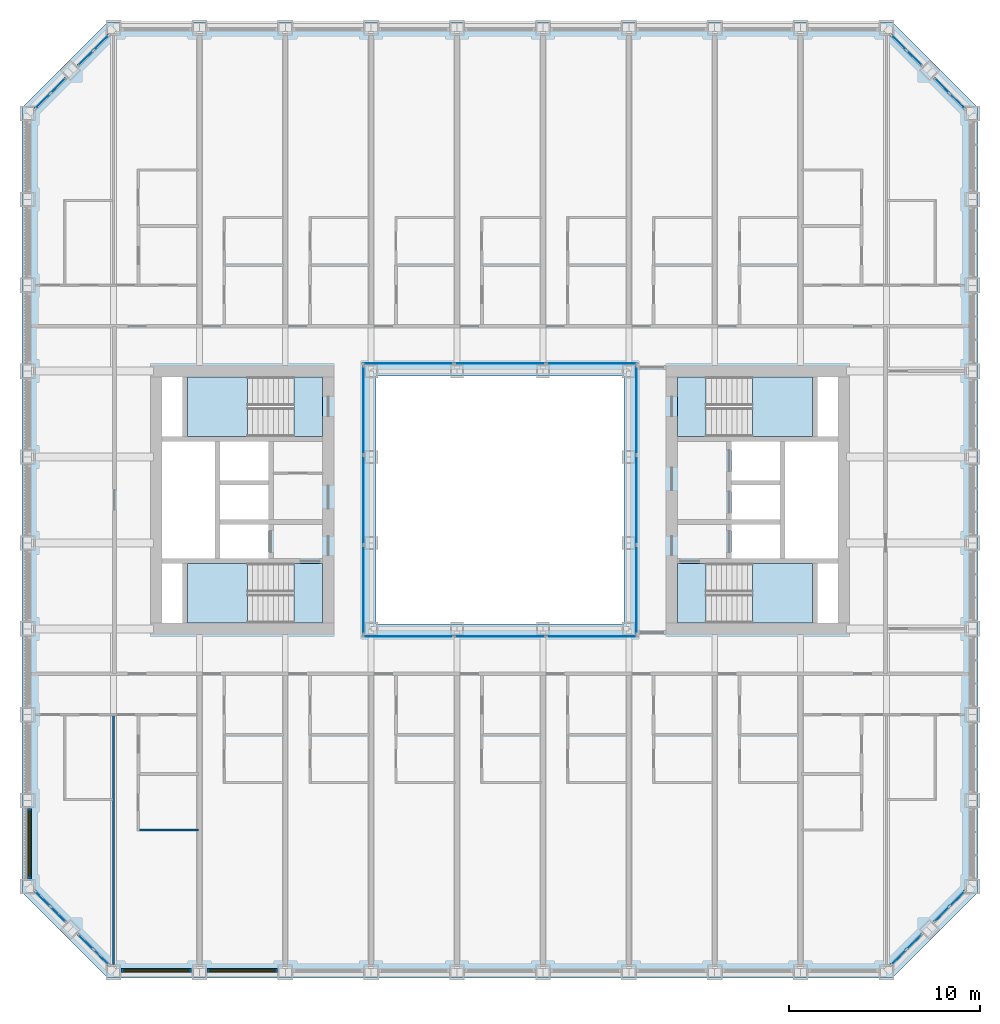
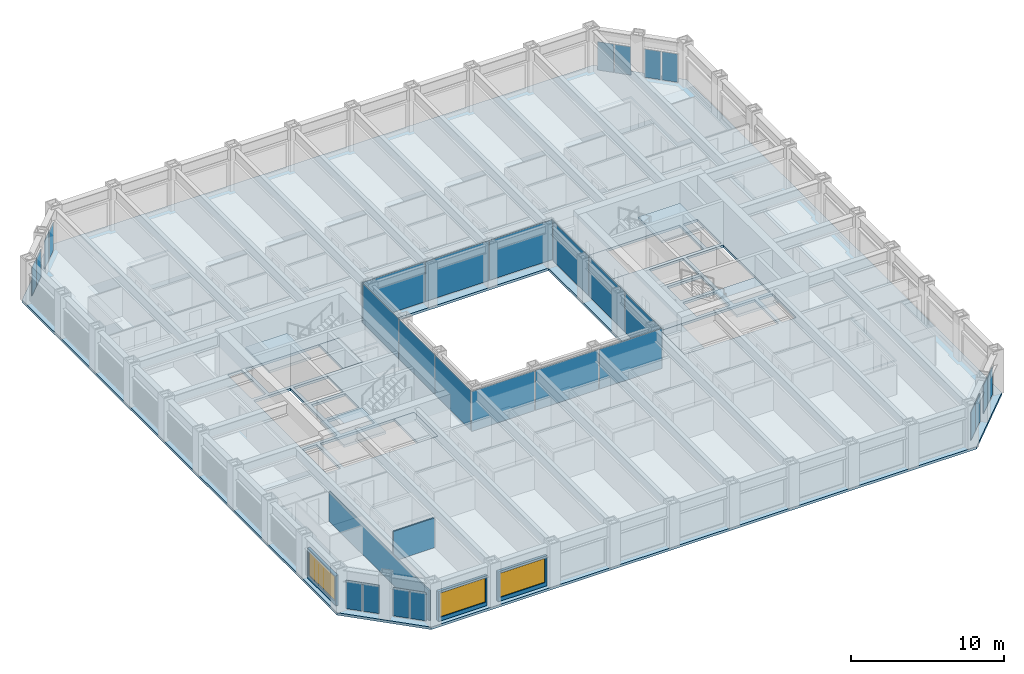
# One storey, part 8 of 21: 28 plates, 9 slabs, 5 walls, 3 windows, 3 openings, 16 elements without a shape of their own.
"""IFC4 building model written with IfcOpenShell, lengths in metres."""

from ifc_helpers import new_model, si_unit, direction, frame, frame_2d, origin, origin_2d, place, context, subcontext, project, spatial, polyline, rectangle, outline, extrude, material, layer, layer_set, type_object, element, fill, aggregate, save


model = new_model("IFC4")

# Units and contexts
model_context = context("Model", 3, precision=1e-05, world=origin(), true_north=direction((0.0, 1.0)))
body_context = subcontext(model_context, "Body", "Model", "MODEL_VIEW")
ifc_project = project(units=[si_unit("LENGTHUNIT", "METRE"), si_unit("AREAUNIT", "SQUARE_METRE"), si_unit("VOLUMEUNIT", "CUBIC_METRE"), si_unit("PLANEANGLEUNIT", "RADIAN"), si_unit("MASSUNIT", "GRAM", prefix="KILO")], contexts=[model_context])

# Site, building, storey
site_placement = place(None, origin())
site = spatial("IfcSite", under=ifc_project, at=site_placement, CompositionType="ELEMENT")
building_placement = place(site_placement, origin())
building = spatial("IfcBuilding", under=site, at=building_placement, Name="Msasa Ring Tower", CompositionType="ELEMENT")
storey_placement = place(building_placement, frame((0.0, 0.0, 30.0)))
storey = spatial("IfcBuildingStorey", under=building, at=storey_placement, Name="L06", CompositionType="ELEMENT", Elevation=30.0)

# Curtain wall, plates
ifc_material_1 = material(Name="Aluminium curtain wall with clear glass", Category="aluminium")
curtain_wall_type_1 = type_object("IfcCurtainWallType", Name="CW-C CHAMFER CORNER CURTAIN WALL", PredefinedType="NOTDEFINED", material=ifc_material_1)
curtain_wall_1_placement = place(storey_placement, origin())
curtain_wall_1 = element("IfcCurtainWall", 1, at=curtain_wall_1_placement, inside=storey, type_object=curtain_wall_type_1, Name="Chamfer corner curtain wall SE L06", PredefinedType="NOTDEFINED")
ifc_material_2 = material(Name="Clear laminated insulating glass unit", Category="glass")
ifc_layer_1 = layer(ifc_material_2, 0.031982421875)
ifc_layer_set_1 = layer_set([ifc_layer_1], Name="CW-C GLASS PANEL 32")
plate_type_1 = type_object("IfcPlateType", Name="CW-C GLASS PANEL 32", PredefinedType="CURTAIN_PANEL", material=ifc_layer_set_1)
plate_1_placement = place(storey_placement, frame((20.896484375, -23.962158203125, 0.06494140625), z_axis=(0.0, 0.0, 1.0), x_axis=(0.707106781187, 0.707106781187, 0.0)))
plate_1 = element("IfcPlate", 2, at=plate_1_placement, type_object=plate_type_1, Name="CW-C panel 1.1", PredefinedType="CURTAIN_PANEL", context=body_context, shape_type="SweptSolid", body=[
    extrude(rectangle(XDim=1.08837890625, YDim=0.031982421875, at=origin_2d()), origin(), (0.0, 0.0, 1.0), 2.2490234375),
])
plate_2_placement = place(storey_placement, frame((21.712158203125, -23.146484375, 0.06494140625), z_axis=(0.0, 0.0, 1.0), x_axis=(0.707106781187, 0.707106781187, 0.0)))
plate_2 = element("IfcPlate", 3, at=plate_2_placement, type_object=plate_type_1, Name="CW-C panel 2.1", PredefinedType="CURTAIN_PANEL", context=body_context, shape_type="SweptSolid", body=[
    extrude(rectangle(XDim=1.08837890625, YDim=0.031982421875, at=origin_2d()), origin(), (0.0, 0.0, 1.0), 2.2490234375),
])
aggregate(curtain_wall_1, [plate_1, plate_2])

curtain_wall_2_placement = place(storey_placement, origin())
curtain_wall_2 = element("IfcCurtainWall", 4, at=curtain_wall_2_placement, inside=storey, type_object=curtain_wall_type_1, Name="Chamfer corner curtain wall SE L06", PredefinedType="NOTDEFINED")
plate_3_placement = place(storey_placement, frame((23.146484375, -21.712158203125, 0.06494140625), z_axis=(0.0, 0.0, 1.0), x_axis=(0.707106781187, 0.707106781187, 0.0)))
plate_3 = element("IfcPlate", 5, at=plate_3_placement, type_object=plate_type_1, Name="CW-C panel 1.1", PredefinedType="CURTAIN_PANEL", context=body_context, shape_type="SweptSolid", body=[
    extrude(rectangle(XDim=1.08837890625, YDim=0.031982421875, at=origin_2d()), origin(), (0.0, 0.0, 1.0), 2.2490234375),
])
plate_4_placement = place(storey_placement, frame((23.962158203125, -20.896484375, 0.06494140625), z_axis=(0.0, 0.0, 1.0), x_axis=(0.707106781187, 0.707106781187, 0.0)))
plate_4 = element("IfcPlate", 6, at=plate_4_placement, type_object=plate_type_1, Name="CW-C panel 2.1", PredefinedType="CURTAIN_PANEL", context=body_context, shape_type="SweptSolid", body=[
    extrude(rectangle(XDim=1.08837890625, YDim=0.031982421875, at=origin_2d()), origin(), (0.0, 0.0, 1.0), 2.2490234375),
])
aggregate(curtain_wall_2, [plate_3, plate_4])

curtain_wall_3_placement = place(storey_placement, origin())
curtain_wall_3 = element("IfcCurtainWall", 7, at=curtain_wall_3_placement, inside=storey, type_object=curtain_wall_type_1, Name="Chamfer corner curtain wall NE L06", PredefinedType="NOTDEFINED")
plate_5_placement = place(storey_placement, frame((21.712158203125, 23.146484375, 0.06494140625), z_axis=(0.0, 0.0, 1.0), x_axis=(-0.707106781187, 0.707106781187, 0.0)))
plate_5 = element("IfcPlate", 8, at=plate_5_placement, type_object=plate_type_1, Name="CW-C panel 1.1", PredefinedType="CURTAIN_PANEL", context=body_context, shape_type="SweptSolid", body=[
    extrude(rectangle(XDim=1.08837890625, YDim=0.031982421875, at=origin_2d()), origin(), (0.0, 0.0, 1.0), 2.2490234375),
])
plate_6_placement = place(storey_placement, frame((20.896484375, 23.962158203125, 0.06494140625), z_axis=(0.0, 0.0, 1.0), x_axis=(-0.707106781187, 0.707106781187, 0.0)))
plate_6 = element("IfcPlate", 9, at=plate_6_placement, type_object=plate_type_1, Name="CW-C panel 2.1", PredefinedType="CURTAIN_PANEL", context=body_context, shape_type="SweptSolid", body=[
    extrude(rectangle(XDim=1.08837890625, YDim=0.031982421875, at=origin_2d()), origin(), (0.0, 0.0, 1.0), 2.2490234375),
])
aggregate(curtain_wall_3, [plate_5, plate_6])

curtain_wall_4_placement = place(storey_placement, origin())
curtain_wall_4 = element("IfcCurtainWall", 10, at=curtain_wall_4_placement, inside=storey, type_object=curtain_wall_type_1, Name="Chamfer corner curtain wall NE L06", PredefinedType="NOTDEFINED")
plate_7_placement = place(storey_placement, frame((23.962158203125, 20.896484375, 0.06494140625), z_axis=(0.0, 0.0, 1.0), x_axis=(-0.707106781187, 0.707106781187, 0.0)))
plate_7 = element("IfcPlate", 11, at=plate_7_placement, type_object=plate_type_1, Name="CW-C panel 1.1", PredefinedType="CURTAIN_PANEL", context=body_context, shape_type="SweptSolid", body=[
    extrude(rectangle(XDim=1.08837890625, YDim=0.031982421875, at=origin_2d()), origin(), (0.0, 0.0, 1.0), 2.2490234375),
])
plate_8_placement = place(storey_placement, frame((23.146484375, 21.712158203125, 0.06494140625), z_axis=(0.0, 0.0, 1.0), x_axis=(-0.707106781187, 0.707106781187, 0.0)))
plate_8 = element("IfcPlate", 12, at=plate_8_placement, type_object=plate_type_1, Name="CW-C panel 2.1", PredefinedType="CURTAIN_PANEL", context=body_context, shape_type="SweptSolid", body=[
    extrude(rectangle(XDim=1.08837890625, YDim=0.031982421875, at=origin_2d()), origin(), (0.0, 0.0, 1.0), 2.2490234375),
])
aggregate(curtain_wall_4, [plate_7, plate_8])

curtain_wall_5_placement = place(storey_placement, origin())
curtain_wall_5 = element("IfcCurtainWall", 13, at=curtain_wall_5_placement, inside=storey, type_object=curtain_wall_type_1, Name="Chamfer corner curtain wall NW L06", PredefinedType="NOTDEFINED")
plate_9_placement = place(storey_placement, frame((-23.146484375, 21.712158203125, 0.06494140625), z_axis=(0.0, 0.0, 1.0), x_axis=(-0.707106781187, -0.707106781187, 0.0)))
plate_9 = element("IfcPlate", 14, at=plate_9_placement, type_object=plate_type_1, Name="CW-C panel 1.1", PredefinedType="CURTAIN_PANEL", context=body_context, shape_type="SweptSolid", body=[
    extrude(rectangle(XDim=1.08837890625, YDim=0.031982421875, at=origin_2d()), origin(), (0.0, 0.0, 1.0), 2.2490234375),
])
plate_10_placement = place(storey_placement, frame((-23.962158203125, 20.896484375, 0.06494140625), z_axis=(0.0, 0.0, 1.0), x_axis=(-0.707106781187, -0.707106781187, 0.0)))
plate_10 = element("IfcPlate", 15, at=plate_10_placement, type_object=plate_type_1, Name="CW-C panel 2.1", PredefinedType="CURTAIN_PANEL", context=body_context, shape_type="SweptSolid", body=[
    extrude(rectangle(XDim=1.08837890625, YDim=0.031982421875, at=origin_2d()), origin(), (0.0, 0.0, 1.0), 2.2490234375),
])
aggregate(curtain_wall_5, [plate_9, plate_10])

curtain_wall_6_placement = place(storey_placement, origin())
curtain_wall_6 = element("IfcCurtainWall", 16, at=curtain_wall_6_placement, inside=storey, type_object=curtain_wall_type_1, Name="Chamfer corner curtain wall NW L06", PredefinedType="NOTDEFINED")
plate_11_placement = place(storey_placement, frame((-20.896484375, 23.962158203125, 0.06494140625), z_axis=(0.0, 0.0, 1.0), x_axis=(-0.707106781187, -0.707106781187, 0.0)))
plate_11 = element("IfcPlate", 17, at=plate_11_placement, type_object=plate_type_1, Name="CW-C panel 1.1", PredefinedType="CURTAIN_PANEL", context=body_context, shape_type="SweptSolid", body=[
    extrude(rectangle(XDim=1.08837890625, YDim=0.031982421875, at=origin_2d()), origin(), (0.0, 0.0, 1.0), 2.2490234375),
])
plate_12_placement = place(storey_placement, frame((-21.712158203125, 23.146484375, 0.06494140625), z_axis=(0.0, 0.0, 1.0), x_axis=(-0.707106781187, -0.707106781187, 0.0)))
plate_12 = element("IfcPlate", 18, at=plate_12_placement, type_object=plate_type_1, Name="CW-C panel 2.1", PredefinedType="CURTAIN_PANEL", context=body_context, shape_type="SweptSolid", body=[
    extrude(rectangle(XDim=1.08837890625, YDim=0.031982421875, at=origin_2d()), origin(), (0.0, 0.0, 1.0), 2.2490234375),
])
aggregate(curtain_wall_6, [plate_11, plate_12])

curtain_wall_7_placement = place(storey_placement, origin())
curtain_wall_7 = element("IfcCurtainWall", 19, at=curtain_wall_7_placement, inside=storey, type_object=curtain_wall_type_1, Name="Chamfer corner curtain wall SW L06", PredefinedType="NOTDEFINED")
plate_13_placement = place(storey_placement, frame((-23.962158203125, -20.896484375, 0.06494140625), z_axis=(0.0, 0.0, 1.0), x_axis=(0.707106781187, -0.707106781187, 0.0)))
plate_13 = element("IfcPlate", 20, at=plate_13_placement, type_object=plate_type_1, Name="CW-C panel 1.1", PredefinedType="CURTAIN_PANEL", context=body_context, shape_type="SweptSolid", body=[
    extrude(rectangle(XDim=1.08837890625, YDim=0.031982421875, at=origin_2d()), origin(), (0.0, 0.0, 1.0), 2.2490234375),
])
plate_14_placement = place(storey_placement, frame((-23.146484375, -21.712158203125, 0.06494140625), z_axis=(0.0, 0.0, 1.0), x_axis=(0.707106781187, -0.707106781187, 0.0)))
plate_14 = element("IfcPlate", 21, at=plate_14_placement, type_object=plate_type_1, Name="CW-C panel 2.1", PredefinedType="CURTAIN_PANEL", context=body_context, shape_type="SweptSolid", body=[
    extrude(rectangle(XDim=1.08837890625, YDim=0.031982421875, at=origin_2d()), origin(), (0.0, 0.0, 1.0), 2.2490234375),
])
aggregate(curtain_wall_7, [plate_13, plate_14])

curtain_wall_8_placement = place(storey_placement, origin())
curtain_wall_8 = element("IfcCurtainWall", 22, at=curtain_wall_8_placement, inside=storey, type_object=curtain_wall_type_1, Name="Chamfer corner curtain wall SW L06", PredefinedType="NOTDEFINED")
plate_15_placement = place(storey_placement, frame((-21.712158203125, -23.146484375, 0.06494140625), z_axis=(0.0, 0.0, 1.0), x_axis=(0.707106781187, -0.707106781187, 0.0)))
plate_15 = element("IfcPlate", 23, at=plate_15_placement, type_object=plate_type_1, Name="CW-C panel 1.1", PredefinedType="CURTAIN_PANEL", context=body_context, shape_type="SweptSolid", body=[
    extrude(rectangle(XDim=1.08837890625, YDim=0.031982421875, at=origin_2d()), origin(), (0.0, 0.0, 1.0), 2.2490234375),
])
plate_16_placement = place(storey_placement, frame((-20.896484375, -23.962158203125, 0.06494140625), z_axis=(0.0, 0.0, 1.0), x_axis=(0.707106781187, -0.707106781187, 0.0)))
plate_16 = element("IfcPlate", 24, at=plate_16_placement, type_object=plate_type_1, Name="CW-C panel 2.1", PredefinedType="CURTAIN_PANEL", context=body_context, shape_type="SweptSolid", body=[
    extrude(rectangle(XDim=1.08837890625, YDim=0.031982421875, at=origin_2d()), origin(), (0.0, 0.0, 1.0), 2.2490234375),
])
aggregate(curtain_wall_8, [plate_15, plate_16])

ifc_material_3 = material(Name="Aluminium curtain wall with clear glass", Category="aluminium")
curtain_wall_type_2 = type_object("IfcCurtainWallType", Name="CW-W LIGHT WELL CURTAIN WALL", PredefinedType="NOTDEFINED", material=ifc_material_3)
curtain_wall_9_placement = place(storey_placement, origin())
curtain_wall_9 = element("IfcCurtainWall", 25, at=curtain_wall_9_placement, inside=storey, type_object=curtain_wall_type_2, Name="Light well curtain wall N L06", PredefinedType="NOTDEFINED")
ifc_material_4 = material(Name="Clear laminated insulating glass unit", Category="glass")
ifc_layer_2 = layer(ifc_material_4, 0.028076171875)
ifc_layer_set_2 = layer_set([ifc_layer_2], Name="CW-W GLASS PANEL 28")
plate_type_2 = type_object("IfcPlateType", Name="CW-W GLASS PANEL 28", PredefinedType="CURTAIN_PANEL", material=ifc_layer_set_2)
plate_17_placement = place(storey_placement, frame((-4.804931640625, 7.14990234375, 0.06005859375), z_axis=(0.0, 0.0, 1.0), x_axis=(1.0, 0.0, 0.0)))
plate_17 = element("IfcPlate", 26, at=plate_17_placement, type_object=plate_type_2, Name="CW-W panel 1.1", PredefinedType="CURTAIN_PANEL", context=body_context, shape_type="SweptSolid", body=[
    extrude(rectangle(XDim=4.72998046875, YDim=0.028076171875, at=origin_2d()), origin(), (0.0, 0.0, 1.0), 3.179931640625),
])
plate_18_placement = place(storey_placement, frame((0.0, 7.14990234375, 0.06005859375), z_axis=(0.0, 0.0, 1.0), x_axis=(1.0, 0.0, 0.0)))
plate_18 = element("IfcPlate", 27, at=plate_18_placement, type_object=plate_type_2, Name="CW-W panel 2.1", PredefinedType="CURTAIN_PANEL", context=body_context, shape_type="SweptSolid", body=[
    extrude(rectangle(XDim=4.760009765625, YDim=0.028076171875, at=origin_2d()), origin(), (0.0, 0.0, 1.0), 3.179931640625),
])
plate_19_placement = place(storey_placement, frame((4.804931640625, 7.14990234375, 0.06005859375), z_axis=(0.0, 0.0, 1.0), x_axis=(1.0, 0.0, 0.0)))
plate_19 = element("IfcPlate", 28, at=plate_19_placement, type_object=plate_type_2, Name="CW-W panel 3.1", PredefinedType="CURTAIN_PANEL", context=body_context, shape_type="SweptSolid", body=[
    extrude(rectangle(XDim=4.72998046875, YDim=0.028076171875, at=origin_2d()), origin(), (0.0, 0.0, 1.0), 3.179931640625),
])
aggregate(curtain_wall_9, [plate_17, plate_18, plate_19])

curtain_wall_10_placement = place(storey_placement, origin())
curtain_wall_10 = element("IfcCurtainWall", 29, at=curtain_wall_10_placement, inside=storey, type_object=curtain_wall_type_2, Name="Light well curtain wall S L06", PredefinedType="NOTDEFINED")
plate_20_placement = place(storey_placement, frame((-4.804931640625, -7.14990234375, 0.06005859375), z_axis=(0.0, 0.0, 1.0), x_axis=(1.0, 0.0, 0.0)))
plate_20 = element("IfcPlate", 30, at=plate_20_placement, type_object=plate_type_2, Name="CW-W panel 1.1", PredefinedType="CURTAIN_PANEL", context=body_context, shape_type="SweptSolid", body=[
    extrude(rectangle(XDim=4.72998046875, YDim=0.028076171875, at=origin_2d()), origin(), (0.0, 0.0, 1.0), 3.179931640625),
])
plate_21_placement = place(storey_placement, frame((0.0, -7.14990234375, 0.06005859375), z_axis=(0.0, 0.0, 1.0), x_axis=(1.0, 0.0, 0.0)))
plate_21 = element("IfcPlate", 31, at=plate_21_placement, type_object=plate_type_2, Name="CW-W panel 2.1", PredefinedType="CURTAIN_PANEL", context=body_context, shape_type="SweptSolid", body=[
    extrude(rectangle(XDim=4.760009765625, YDim=0.028076171875, at=origin_2d()), origin(), (0.0, 0.0, 1.0), 3.179931640625),
])
plate_22_placement = place(storey_placement, frame((4.804931640625, -7.14990234375, 0.06005859375), z_axis=(0.0, 0.0, 1.0), x_axis=(1.0, 0.0, 0.0)))
plate_22 = element("IfcPlate", 32, at=plate_22_placement, type_object=plate_type_2, Name="CW-W panel 3.1", PredefinedType="CURTAIN_PANEL", context=body_context, shape_type="SweptSolid", body=[
    extrude(rectangle(XDim=4.72998046875, YDim=0.028076171875, at=origin_2d()), origin(), (0.0, 0.0, 1.0), 3.179931640625),
])
aggregate(curtain_wall_10, [plate_20, plate_21, plate_22])

curtain_wall_11_placement = place(storey_placement, origin())
curtain_wall_11 = element("IfcCurtainWall", 33, at=curtain_wall_11_placement, inside=storey, type_object=curtain_wall_type_2, Name="Light well curtain wall E L06", PredefinedType="NOTDEFINED")
plate_23_placement = place(storey_placement, frame((7.14990234375, -4.6982421875, 0.06005859375), z_axis=(0.0, 0.0, 1.0), x_axis=(0.0, 1.0, 0.0)))
plate_23 = element("IfcPlate", 34, at=plate_23_placement, type_object=plate_type_2, Name="CW-W panel 1.1", PredefinedType="CURTAIN_PANEL", context=body_context, shape_type="SweptSolid", body=[
    extrude(rectangle(XDim=4.623291015625, YDim=0.028076171875, at=origin_2d()), origin(), (0.0, 0.0, 1.0), 3.179931640625),
])
plate_24_placement = place(storey_placement, frame((7.14990234375, 0.0, 0.06005859375), z_axis=(0.0, 0.0, 1.0), x_axis=(0.0, 1.0, 0.0)))
plate_24 = element("IfcPlate", 35, at=plate_24_placement, type_object=plate_type_2, Name="CW-W panel 2.1", PredefinedType="CURTAIN_PANEL", context=body_context, shape_type="SweptSolid", body=[
    extrude(rectangle(XDim=4.6533203125, YDim=0.028076171875, at=origin_2d()), origin(), (0.0, 0.0, 1.0), 3.179931640625),
])
plate_25_placement = place(storey_placement, frame((7.14990234375, 4.6982421875, 0.06005859375), z_axis=(0.0, 0.0, 1.0), x_axis=(0.0, 1.0, 0.0)))
plate_25 = element("IfcPlate", 36, at=plate_25_placement, type_object=plate_type_2, Name="CW-W panel 3.1", PredefinedType="CURTAIN_PANEL", context=body_context, shape_type="SweptSolid", body=[
    extrude(rectangle(XDim=4.623291015625, YDim=0.028076171875, at=origin_2d()), origin(), (0.0, 0.0, 1.0), 3.179931640625),
])
aggregate(curtain_wall_11, [plate_23, plate_24, plate_25])

curtain_wall_12_placement = place(storey_placement, origin())
curtain_wall_12 = element("IfcCurtainWall", 37, at=curtain_wall_12_placement, inside=storey, type_object=curtain_wall_type_2, Name="Light well curtain wall W L06", PredefinedType="NOTDEFINED")
plate_26_placement = place(storey_placement, frame((-7.14990234375, -4.6982421875, 0.06005859375), z_axis=(0.0, 0.0, 1.0), x_axis=(0.0, 1.0, 0.0)))
plate_26 = element("IfcPlate", 38, at=plate_26_placement, type_object=plate_type_2, Name="CW-W panel 1.1", PredefinedType="CURTAIN_PANEL", context=body_context, shape_type="SweptSolid", body=[
    extrude(rectangle(XDim=4.623291015625, YDim=0.028076171875, at=origin_2d()), origin(), (0.0, 0.0, 1.0), 3.179931640625),
])
plate_27_placement = place(storey_placement, frame((-7.14990234375, 0.0, 0.06005859375), z_axis=(0.0, 0.0, 1.0), x_axis=(0.0, 1.0, 0.0)))
plate_27 = element("IfcPlate", 39, at=plate_27_placement, type_object=plate_type_2, Name="CW-W panel 2.1", PredefinedType="CURTAIN_PANEL", context=body_context, shape_type="SweptSolid", body=[
    extrude(rectangle(XDim=4.6533203125, YDim=0.028076171875, at=origin_2d()), origin(), (0.0, 0.0, 1.0), 3.179931640625),
])
plate_28_placement = place(storey_placement, frame((-7.14990234375, 4.6982421875, 0.06005859375), z_axis=(0.0, 0.0, 1.0), x_axis=(0.0, 1.0, 0.0)))
plate_28 = element("IfcPlate", 40, at=plate_28_placement, type_object=plate_type_2, Name="CW-W panel 3.1", PredefinedType="CURTAIN_PANEL", context=body_context, shape_type="SweptSolid", body=[
    extrude(rectangle(XDim=4.623291015625, YDim=0.028076171875, at=origin_2d()), origin(), (0.0, 0.0, 1.0), 3.179931640625),
])
aggregate(curtain_wall_12, [plate_26, plate_27, plate_28])

# Stair, slabs
ifc_material_5 = material(Name="Concrete C40/50", Category="concrete")
stair_type = type_object("IfcStairType", Name="STC CORE STAIR 20 RISERS 175", PredefinedType="HALF_TURN_STAIR", material=ifc_material_5)
stair_1_placement = place(storey_placement, origin())
stair_1 = element("IfcStair", 41, at=stair_1_placement, inside=storey, type_object=stair_type, Name="Core stair SEA L06", PredefinedType="HALF_TURN_STAIR")
ifc_material_6 = material(Name="Concrete C40/50", Category="concrete")
ifc_layer_3 = layer(ifc_material_6, 0.199951171875)
ifc_layer_set_3 = layer_set([ifc_layer_3], Name="LD1 CORE STAIR LANDING 200")
slab_type_1 = type_object("IfcSlabType", Name="LD1 CORE STAIR LANDING 200", PredefinedType="LANDING", material=ifc_layer_set_3)
slab_1_placement = place(storey_placement, frame((0.0, 0.0, -0.199951171875)))
slab_1 = element("IfcSlab", 42, at=slab_1_placement, type_object=slab_type_1, Name="SEA landing 1", PredefinedType="LANDING", context=body_context, shape_type="SweptSolid", body=[
    extrude(outline(polyline([(9.300048828125, -6.449951171875), (10.800048828125, -6.449951171875), (10.800048828125, -3.324951171875), (9.300048828125, -3.324951171875), (9.300048828125, -6.449951171875)])), origin(), (0.0, 0.0, 1.0), 0.199951171875),
])
slab_2_placement = place(storey_placement, frame((0.0, 0.0, 1.550048828125)))
slab_2 = element("IfcSlab", 43, at=slab_2_placement, type_object=slab_type_1, Name="SEA landing 2", PredefinedType="LANDING", context=body_context, shape_type="SweptSolid", body=[
    extrude(outline(polyline([(13.22998046875, -6.449951171875), (16.375, -6.449951171875), (16.375, -3.324951171875), (13.22998046875, -3.324951171875), (13.22998046875, -6.449951171875)])), origin(), (0.0, 0.0, 1.0), 0.199951171875),
])
aggregate(stair_1, [slab_1, slab_2])

stair_2_placement = place(storey_placement, origin())
stair_2 = element("IfcStair", 44, at=stair_2_placement, inside=storey, type_object=stair_type, Name="Core stair SEB L06", PredefinedType="HALF_TURN_STAIR")
slab_3_placement = place(storey_placement, frame((0.0, 0.0, -0.199951171875)))
slab_3 = element("IfcSlab", 45, at=slab_3_placement, type_object=slab_type_1, Name="SEB landing 1", PredefinedType="LANDING", context=body_context, shape_type="SweptSolid", body=[
    extrude(outline(polyline([(9.300048828125, 3.324951171875), (10.800048828125, 3.324951171875), (10.800048828125, 6.449951171875), (9.300048828125, 6.449951171875), (9.300048828125, 3.324951171875)])), origin(), (0.0, 0.0, 1.0), 0.199951171875),
])
slab_4_placement = place(storey_placement, frame((0.0, 0.0, 1.550048828125)))
slab_4 = element("IfcSlab", 46, at=slab_4_placement, type_object=slab_type_1, Name="SEB landing 2", PredefinedType="LANDING", context=body_context, shape_type="SweptSolid", body=[
    extrude(outline(polyline([(13.22998046875, 3.324951171875), (16.375, 3.324951171875), (16.375, 6.449951171875), (13.22998046875, 6.449951171875), (13.22998046875, 3.324951171875)])), origin(), (0.0, 0.0, 1.0), 0.199951171875),
])
aggregate(stair_2, [slab_3, slab_4])

stair_3_placement = place(storey_placement, origin())
stair_3 = element("IfcStair", 47, at=stair_3_placement, inside=storey, type_object=stair_type, Name="Core stair SWA L06", PredefinedType="HALF_TURN_STAIR")
slab_5_placement = place(storey_placement, frame((0.0, 0.0, -0.199951171875)))
slab_5 = element("IfcSlab", 48, at=slab_5_placement, type_object=slab_type_1, Name="SWA landing 1", PredefinedType="LANDING", context=body_context, shape_type="SweptSolid", body=[
    extrude(outline(polyline([(-10.800048828125, -6.449951171875), (-9.300048828125, -6.449951171875), (-9.300048828125, -3.324951171875), (-10.800048828125, -3.324951171875), (-10.800048828125, -6.449951171875)])), origin(), (0.0, 0.0, 1.0), 0.199951171875),
])
slab_6_placement = place(storey_placement, frame((0.0, 0.0, 1.550048828125)))
slab_6 = element("IfcSlab", 49, at=slab_6_placement, type_object=slab_type_1, Name="SWA landing 2", PredefinedType="LANDING", context=body_context, shape_type="SweptSolid", body=[
    extrude(outline(polyline([(-16.375, -6.449951171875), (-13.22998046875, -6.449951171875), (-13.22998046875, -3.324951171875), (-16.375, -3.324951171875), (-16.375, -6.449951171875)])), origin(), (0.0, 0.0, 1.0), 0.199951171875),
])
aggregate(stair_3, [slab_5, slab_6])

stair_4_placement = place(storey_placement, origin())
stair_4 = element("IfcStair", 50, at=stair_4_placement, inside=storey, type_object=stair_type, Name="Core stair SWB L06", PredefinedType="HALF_TURN_STAIR")
slab_7_placement = place(storey_placement, frame((0.0, 0.0, -0.199951171875)))
slab_7 = element("IfcSlab", 51, at=slab_7_placement, type_object=slab_type_1, Name="SWB landing 1", PredefinedType="LANDING", context=body_context, shape_type="SweptSolid", body=[
    extrude(outline(polyline([(-10.800048828125, 3.324951171875), (-9.300048828125, 3.324951171875), (-9.300048828125, 6.449951171875), (-10.800048828125, 6.449951171875), (-10.800048828125, 3.324951171875)])), origin(), (0.0, 0.0, 1.0), 0.199951171875),
])
slab_8_placement = place(storey_placement, frame((0.0, 0.0, 1.550048828125)))
slab_8 = element("IfcSlab", 52, at=slab_8_placement, type_object=slab_type_1, Name="SWB landing 2", PredefinedType="LANDING", context=body_context, shape_type="SweptSolid", body=[
    extrude(outline(polyline([(-16.375, 3.324951171875), (-13.22998046875, 3.324951171875), (-13.22998046875, 6.449951171875), (-16.375, 6.449951171875), (-16.375, 3.324951171875)])), origin(), (0.0, 0.0, 1.0), 0.199951171875),
])
aggregate(stair_4, [slab_7, slab_8])

# Slab
ifc_material_7 = material(Name="Concrete C40/50", Category="concrete")
ifc_layer_4 = layer(ifc_material_7, 0.199951171875)
ifc_layer_set_4 = layer_set([ifc_layer_4], Name="S3 RESIDENCE FLOOR 200")
slab_type_2 = type_object("IfcSlabType", Name="S3 RESIDENCE FLOOR 200", PredefinedType="FLOOR", material=ifc_layer_set_4)
slab_9_placement = place(storey_placement, frame((0.0, 0.0, -0.199951171875)))
element("IfcSlab", 53, at=slab_9_placement, inside=storey, type_object=slab_type_2, Name="Floor slab L06", PredefinedType="FLOOR", context=body_context, shape_type="SweptSolid", body=[
    extrude(outline(polyline([(-20.550048828125, -25.050048828125), (20.550048828125, -25.050048828125), (25.050048828125, -20.550048828125), (25.050048828125, 20.550048828125), (20.550048828125, 25.050048828125), (-20.550048828125, 25.050048828125), (-25.050048828125, 20.550048828125), (-25.050048828125, -20.550048828125), (-20.550048828125, -25.050048828125)]), holes=[polyline([(-6.5, -6.5), (6.5, -6.5), (6.5, 6.5), (-6.5, 6.5), (-6.5, -6.5)]), polyline([(9.300048828125, -6.449951171875), (16.375, -6.449951171875), (16.375, -3.324951171875), (9.300048828125, -3.324951171875), (9.300048828125, -6.449951171875)]), polyline([(9.300048828125, 3.324951171875), (16.375, 3.324951171875), (16.375, 6.449951171875), (9.300048828125, 6.449951171875), (9.300048828125, 3.324951171875)]), polyline([(12.125, -3.074951171875), (14.675048828125, -3.074951171875), (14.675048828125, -1.27490234375), (12.125, -1.27490234375), (12.125, -3.074951171875)]), polyline([(12.125, -1.02490234375), (14.675048828125, -1.02490234375), (14.675048828125, 0.77490234375), (12.125, 0.77490234375), (12.125, -1.02490234375)]), polyline([(12.125, 1.02490234375), (14.675048828125, 1.02490234375), (14.675048828125, 3.074951171875), (12.125, 3.074951171875), (12.125, 1.02490234375)]), polyline([(16.625, -6.449951171875), (17.699951171875, -6.449951171875), (17.699951171875, -3.324951171875), (16.625, -3.324951171875), (16.625, -6.449951171875)]), polyline([(16.625, 3.324951171875), (17.699951171875, 3.324951171875), (17.699951171875, 6.449951171875), (16.625, 6.449951171875), (16.625, 3.324951171875)]), polyline([(14.925048828125, -3.074951171875), (17.699951171875, -3.074951171875), (17.699951171875, 3.074951171875), (14.925048828125, 3.074951171875), (14.925048828125, -3.074951171875)]), polyline([(-16.375, -6.449951171875), (-9.300048828125, -6.449951171875), (-9.300048828125, -3.324951171875), (-16.375, -3.324951171875), (-16.375, -6.449951171875)]), polyline([(-16.375, 3.324951171875), (-9.300048828125, 3.324951171875), (-9.300048828125, 6.449951171875), (-16.375, 6.449951171875), (-16.375, 3.324951171875)]), polyline([(-14.675048828125, -3.074951171875), (-12.125, -3.074951171875), (-12.125, -1.27490234375), (-14.675048828125, -1.27490234375), (-14.675048828125, -3.074951171875)]), polyline([(-14.675048828125, -1.02490234375), (-12.125, -1.02490234375), (-12.125, 0.77490234375), (-14.675048828125, 0.77490234375), (-14.675048828125, -1.02490234375)]), polyline([(-14.675048828125, 1.02490234375), (-12.125, 1.02490234375), (-12.125, 3.074951171875), (-14.675048828125, 3.074951171875), (-14.675048828125, 1.02490234375)]), polyline([(-17.699951171875, -6.449951171875), (-16.625, -6.449951171875), (-16.625, -3.324951171875), (-17.699951171875, -3.324951171875), (-17.699951171875, -6.449951171875)]), polyline([(-17.699951171875, 3.324951171875), (-16.625, 3.324951171875), (-16.625, 6.449951171875), (-17.699951171875, 6.449951171875), (-17.699951171875, 3.324951171875)]), polyline([(-17.699951171875, -3.074951171875), (-14.925048828125, -3.074951171875), (-14.925048828125, 3.074951171875), (-17.699951171875, 3.074951171875), (-17.699951171875, -3.074951171875)])]), origin(), (0.0, 0.0, 1.0), 0.199951171875),
])

# Wall, opening, window
ifc_material_8 = material(Name="Terracotta rainscreen on blockwork", Category="masonry")
ifc_layer_5 = layer(ifc_material_8, 0.199951171875)
ifc_layer_set_5 = layer_set([ifc_layer_5], Name="FW1 TERRACOTTA-LINED INFILL BAY WALL 200")
wall_type_1 = type_object("IfcWallType", Name="FW1 TERRACOTTA-LINED INFILL BAY WALL 200", PredefinedType="SOLIDWALL", material=ifc_layer_set_5)
wall_1_placement = place(storey_placement, frame((-19.844970703125, -24.64990234375, 0.0), z_axis=(0.0, 0.0, 1.0), x_axis=(1.0, 0.0, 0.0)))
wall_1 = element("IfcWall", 54, at=wall_1_placement, inside=storey, type_object=wall_type_1, Name="Infill bay wall S L06 00", PredefinedType="SOLIDWALL", context=body_context, shape_type="SweptSolid", body=[
    extrude(rectangle(XDim=3.68994140625, YDim=0.199951171875, at=frame_2d((1.844970703125, 0.0))), origin(), (0.0, 0.0, 1.0), 2.37890625),
])
opening_1_placement = place(wall_1_placement, frame((0.14501953125, 0.0, 0.300048828125)))
opening_1 = element("IfcOpeningElement", 55, at=opening_1_placement, cuts=wall_1, Name="Opening WN1", PredefinedType="OPENING", context=body_context, shape_type="SweptSolid", body=[
    extrude(rectangle(XDim=3.39990234375, YDim=1.928955078125, at=frame_2d((1.699951171875, 0.96435546875))), frame((0.0, 0.10986328125, 0.0), z_axis=(0.0, -1.0, 0.0), x_axis=(1.0, 0.0, 0.0)), (0.0, 0.0, 1.0), 0.219970703125),
])
ifc_material_9 = material(Name="Aluminium frame with clear glass", Category="aluminium")
window_type = type_object("IfcWindowType", Name="WN1 RESIDENCE WINDOW 3400x1929", PartitioningType="SINGLE_PANEL", PredefinedType="WINDOW", material=ifc_material_9)
window_1_placement = place(opening_1_placement, origin())
window_1 = element("IfcWindow", 56, at=window_1_placement, inside=storey, type_object=window_type, Name="Window S L06 00", OverallHeight=1.928955078125, OverallWidth=3.39990234375, PartitioningType="SINGLE_PANEL", PredefinedType="WINDOW", context=body_context, shape_type="SweptSolid", body=[
    extrude(rectangle(XDim=3.39990234375, YDim=1.928955078125, at=frame_2d((1.699951171875, 0.96435546875))), frame((0.0, 0.030029296875, 0.0), z_axis=(0.0, -1.0, 0.0), x_axis=(1.0, 0.0, 0.0)), (0.0, 0.0, 1.0), 0.06005859375),
])
fill(opening_1, window_1)

wall_2_placement = place(storey_placement, frame((-15.344970703125, -24.64990234375, 0.0), z_axis=(0.0, 0.0, 1.0), x_axis=(1.0, 0.0, 0.0)))
wall_2 = element("IfcWall", 57, at=wall_2_placement, inside=storey, type_object=wall_type_1, Name="Infill bay wall S L06 01", PredefinedType="SOLIDWALL", context=body_context, shape_type="SweptSolid", body=[
    extrude(rectangle(XDim=3.68994140625, YDim=0.199951171875, at=frame_2d((1.844970703125, 0.0))), origin(), (0.0, 0.0, 1.0), 2.37890625),
])
opening_2_placement = place(wall_2_placement, frame((0.14501953125, 0.0, 0.300048828125)))
opening_2 = element("IfcOpeningElement", 58, at=opening_2_placement, cuts=wall_2, Name="Opening WN1", PredefinedType="OPENING", context=body_context, shape_type="SweptSolid", body=[
    extrude(rectangle(XDim=3.39990234375, YDim=1.928955078125, at=frame_2d((1.699951171875, 0.96435546875))), frame((0.0, 0.10986328125, 0.0), z_axis=(0.0, -1.0, 0.0), x_axis=(1.0, 0.0, 0.0)), (0.0, 0.0, 1.0), 0.219970703125),
])
window_2_placement = place(opening_2_placement, origin())
window_2 = element("IfcWindow", 59, at=window_2_placement, inside=storey, type_object=window_type, Name="Window S L06 01", OverallHeight=1.928955078125, OverallWidth=3.39990234375, PartitioningType="SINGLE_PANEL", PredefinedType="WINDOW", context=body_context, shape_type="SweptSolid", body=[
    extrude(rectangle(XDim=3.39990234375, YDim=1.928955078125, at=frame_2d((1.699951171875, 0.96435546875))), frame((0.0, 0.030029296875, 0.0), z_axis=(0.0, -1.0, 0.0), x_axis=(1.0, 0.0, 0.0)), (0.0, 0.0, 1.0), 0.06005859375),
])
fill(opening_2, window_2)

wall_3_placement = place(storey_placement, frame((-24.64990234375, -19.844970703125, 0.0), z_axis=(0.0, 0.0, 1.0), x_axis=(0.0, 1.0, 0.0)))
wall_3 = element("IfcWall", 60, at=wall_3_placement, inside=storey, type_object=wall_type_1, Name="Infill bay wall W L06 33", PredefinedType="SOLIDWALL", context=body_context, shape_type="SweptSolid", body=[
    extrude(rectangle(XDim=3.68994140625, YDim=0.199951171875, at=frame_2d((1.844970703125, 0.0))), origin(), (0.0, 0.0, 1.0), 2.37890625),
])
opening_3_placement = place(wall_3_placement, frame((0.14501953125, 0.0, 0.300048828125)))
opening_3 = element("IfcOpeningElement", 61, at=opening_3_placement, cuts=wall_3, Name="Opening WN1", PredefinedType="OPENING", context=body_context, shape_type="SweptSolid", body=[
    extrude(rectangle(XDim=3.39990234375, YDim=1.928955078125, at=frame_2d((1.699951171875, 0.96435546875))), frame((0.0, 0.10986328125, 0.0), z_axis=(0.0, -1.0, 0.0), x_axis=(1.0, 0.0, 0.0)), (0.0, 0.0, 1.0), 0.219970703125),
])
window_3_placement = place(opening_3_placement, origin())
window_3 = element("IfcWindow", 62, at=window_3_placement, inside=storey, type_object=window_type, Name="Window W L06 33", OverallHeight=1.928955078125, OverallWidth=3.39990234375, PartitioningType="SINGLE_PANEL", PredefinedType="WINDOW", context=body_context, shape_type="SweptSolid", body=[
    extrude(rectangle(XDim=3.39990234375, YDim=1.928955078125, at=frame_2d((1.699951171875, 0.96435546875))), frame((0.0, 0.030029296875, 0.0), z_axis=(0.0, -1.0, 0.0), x_axis=(1.0, 0.0, 0.0)), (0.0, 0.0, 1.0), 0.06005859375),
])
fill(opening_3, window_3)

# Walls
ifc_material_10 = material(Name="Gypsum board on steel studs", Category="steel")
ifc_layer_6 = layer(ifc_material_10, 0.10009765625)
ifc_layer_set_6 = layer_set([ifc_layer_6], Name="PT2 STUD PARTITION 100")
wall_type_2 = type_object("IfcWallType", Name="PT2 STUD PARTITION 100", PredefinedType="PARTITIONING", material=ifc_layer_set_6)
wall_4_placement = place(storey_placement, frame((-20.25, -24.35009765625, 0.0), z_axis=(0.0, 0.0, 1.0), x_axis=(0.0, 1.0, 0.0)))
element("IfcWall", 63, at=wall_4_placement, inside=storey, type_object=wall_type_2, Name="Partition L06-US00P1", PredefinedType="PARTITIONING", context=body_context, shape_type="SweptSolid", body=[
    extrude(rectangle(XDim=13.050048828125, YDim=0.10009765625, at=frame_2d((6.52490234375, 0.0))), origin(), (0.0, 0.0, 1.0), 2.373291015625),
])
wall_5_placement = place(storey_placement, frame((-18.949951171875, -17.291015625, 0.0), z_axis=(0.0, 0.0, 1.0), x_axis=(1.0, 0.0, 0.0)))
element("IfcWall", 64, at=wall_5_placement, inside=storey, type_object=wall_type_2, Name="Partition L06-US00WY1", PredefinedType="PARTITIONING", context=body_context, shape_type="SweptSolid", body=[
    extrude(rectangle(XDim=3.139892578125, YDim=0.10009765625, at=frame_2d((1.56982421875, 0.0))), origin(), (0.0, 0.0, 1.0), 2.373291015625),
])

save(model, "model.ifc")
